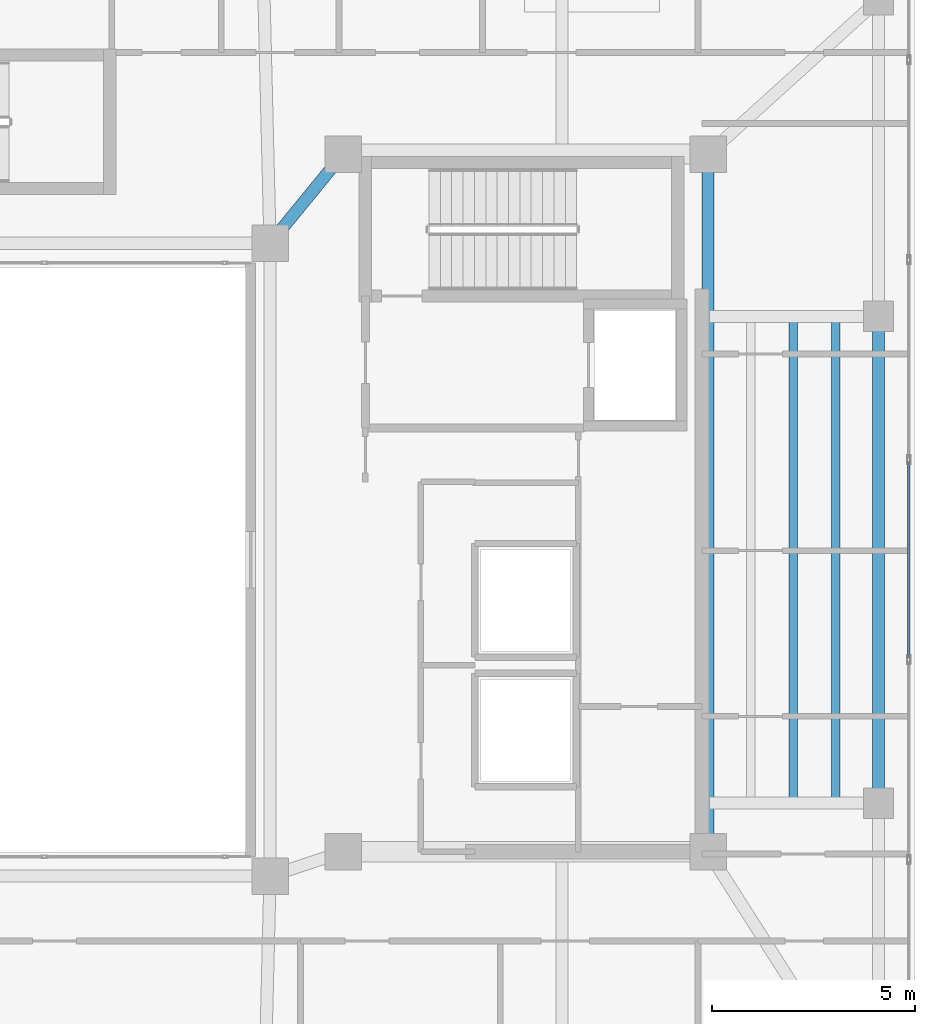
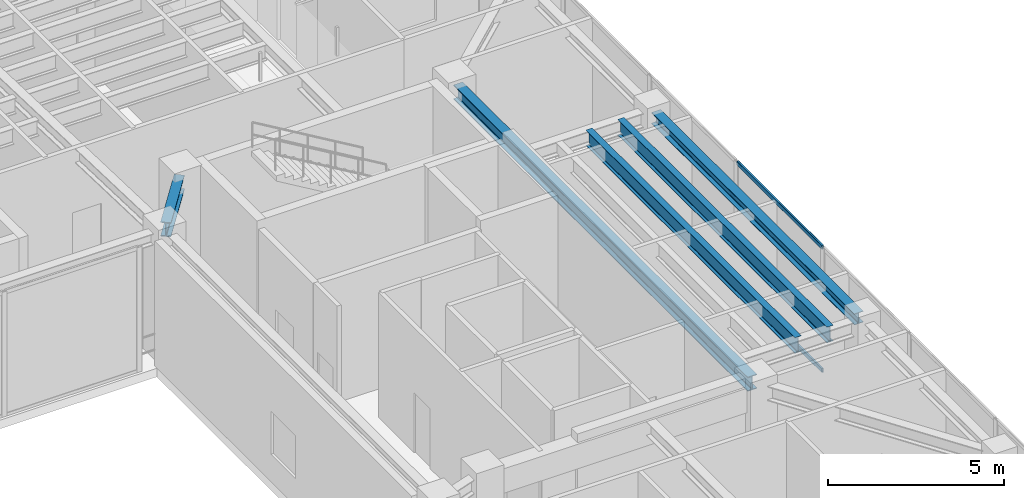
# One storey, part 15 of 34: 5 beams, 2 members, 1 element without a shape of its own.
"""IFC4 building model written with IfcOpenShell, lengths in metres."""

from ifc_helpers import new_model, si_unit, direction, frame, origin, origin_2d, place, context, subcontext, project, spatial, hollow_rectangle, i_section, extrude, material, layer, layer_set, material_profile, profile_set, type_object, element, aggregate, save


model = new_model("IFC4")

# Units and contexts
model_context = context("Model", 3, precision=1e-05, world=origin(), true_north=direction((0.0, 1.0)))
body_context = subcontext(model_context, "Body", "Model", "MODEL_VIEW")
ifc_project = project(units=[si_unit("LENGTHUNIT", "METRE"), si_unit("AREAUNIT", "SQUARE_METRE"), si_unit("VOLUMEUNIT", "CUBIC_METRE"), si_unit("PLANEANGLEUNIT", "RADIAN"), si_unit("MASSUNIT", "GRAM", prefix="KILO")], contexts=[model_context])

# Site, building, storey
site_placement = place(None, origin())
site = spatial("IfcSite", under=ifc_project, at=site_placement, CompositionType="ELEMENT")
building_placement = place(site_placement, origin())
building = spatial("IfcBuilding", under=site, at=building_placement, Name="Tarnavaz Court Tower", CompositionType="ELEMENT")
storey_placement = place(building_placement, frame((0.0, 0.0, 231.75)))
storey = spatial("IfcBuildingStorey", under=building, at=storey_placement, Name="L63", CompositionType="ELEMENT", Elevation=231.75)

# Beams
ifc_material_1 = material(Name="Steel S355", Category="steel")
ifc_material_profile_1 = material_profile(ifc_material_1, i_section(OverallWidth=0.300048828125, OverallDepth=0.5, WebThickness=0.014404296875, FlangeThickness=0.028076171875, FilletRadius=0.027099609375, at=origin_2d()), Name="HEB 500")
ifc_profile_set_1 = profile_set([ifc_material_profile_1], Name="Steel S355")
beam_type_1 = type_object("IfcBeamType", Name="BM-G-HEB500", PredefinedType="USERDEFINED", material=ifc_profile_set_1)
beam_1_placement = place(storey_placement, frame((9.460693359375, 9.82958984375, 4.10009765625), z_axis=(-0.633282058357, -0.773921077735, 0.0), x_axis=(0.773921077735, -0.633282058357, 0.0)))
element("IfcBeam", 1, at=beam_1_placement, inside=storey, type_object=beam_type_1, Name="L63 Beam IN-CE-NI-IW-NE", ObjectType="GIRDER", PredefinedType="USERDEFINED", context=body_context, shape_type="SweptSolid", body=[
    extrude(i_section(OverallWidth=0.300048828125, OverallDepth=0.5, WebThickness=0.014404296875, FlangeThickness=0.028076171875, FilletRadius=0.027099609375, at=origin_2d()), origin(), (0.0, 0.0, 1.0), 2.402587890625),
])
beam_2_placement = place(storey_placement, frame((18.60009765625, -6.97998046875, 4.10009765625), z_axis=(0.0, 1.0, 0.0), x_axis=(-1.0, 0.0, 0.0)))
element("IfcBeam", 2, at=beam_2_placement, inside=storey, type_object=beam_type_1, Name="L63 Beam IN-CE-SO-CE-NO", ObjectType="GIRDER", PredefinedType="USERDEFINED", context=body_context, shape_type="SweptSolid", body=[
    extrude(i_section(OverallWidth=0.300048828125, OverallDepth=0.5, WebThickness=0.014404296875, FlangeThickness=0.028076171875, FilletRadius=0.027099609375, at=origin_2d()), origin(), (0.0, 0.0, 1.0), 16.760009765625),
])
ifc_material_profile_2 = material_profile(ifc_material_1, i_section(OverallWidth=0.2099609375, OverallDepth=0.550048828125, WebThickness=0.010986328125, FlangeThickness=0.01708984375, FilletRadius=0.02392578125, at=origin_2d()), Name="IPE 550")
ifc_profile_set_2 = profile_set([ifc_material_profile_2], Name="Steel S355")
beam_type_2 = type_object("IfcBeamType", Name="BM-J-IPE550", PredefinedType="JOIST", material=ifc_profile_set_2)
for number, where, z_axis, x_axis, name in (
    (3, (20.699951171875, -5.9599609375, 4.074951171875), (0.0, 1.0, 0.0), (-1.0, 0.0, 0.0), "L63 Beam JE2"),
    (4, (21.75, -5.9599609375, 4.074951171875), (0.0, 1.0, 0.0), (-1.0, 0.0, 0.0), "L63 Beam JE3"),
):
    element("IfcBeam", number, at=place(storey_placement, frame(where, z_axis=z_axis, x_axis=x_axis)), inside=storey, type_object=beam_type_2, Name=name, PredefinedType="JOIST", context=body_context, shape_type="SweptSolid", body=[
        extrude(i_section(OverallWidth=0.2099609375, OverallDepth=0.550048828125, WebThickness=0.010986328125, FlangeThickness=0.01708984375, FilletRadius=0.02392578125, at=origin_2d()), origin(), (0.0, 0.0, 1.0), 11.919921875),
    ])
ifc_material_profile_3 = material_profile(ifc_material_1, i_section(OverallWidth=0.300048828125, OverallDepth=0.389892578125, WebThickness=0.010986328125, FlangeThickness=0.01904296875, FilletRadius=0.027099609375, at=origin_2d()), Name="HEA 400")
ifc_profile_set_3 = profile_set([ifc_material_profile_3], Name="Steel S355")
beam_type_3 = type_object("IfcBeamType", Name="BM-SP-HEA400", PredefinedType="BEAM", material=ifc_profile_set_3)
beam_3_placement = place(storey_placement, frame((22.800048828125, -5.780029296875, 4.155029296875), z_axis=(0.0, 1.0, 0.0), x_axis=(-1.0, 0.0, 0.0)))
element("IfcBeam", 5, at=beam_3_placement, inside=storey, type_object=beam_type_3, Name="L63 Beam PR-PE-2-PE-3", PredefinedType="BEAM", context=body_context, shape_type="SweptSolid", body=[
    extrude(i_section(OverallWidth=0.300048828125, OverallDepth=0.389892578125, WebThickness=0.010986328125, FlangeThickness=0.01904296875, FilletRadius=0.027099609375, at=origin_2d()), origin(), (0.0, 0.0, 1.0), 11.56005859375),
])

# Curtain wall, members
ifc_material_2 = material(Name="Anodised Aluminium 6063-T6 and Solar Low-E Glazing", Category="aluminium")
ifc_layer = layer(ifc_material_2, 0.199951171875)
ifc_layer_set = layer_set([ifc_layer], Name="Anodised Aluminium 6063-T6 and Solar Low-E Glazing")
curtain_wall_type = type_object("IfcCurtainWallType", Name="CW-SYS-05", PredefinedType="NOTDEFINED", material=ifc_layer_set)
curtain_wall_placement = place(storey_placement, origin())
curtain_wall = element("IfcCurtainWall", 6, at=curtain_wall_placement, inside=storey, type_object=curtain_wall_type, Name="L63 Sky-Portal Curtain Wall 12", PredefinedType="NOTDEFINED")
ifc_material_3 = material(Name="Anodised Aluminium 6063-T6", Category="aluminium")
ifc_material_profile_4 = material_profile(ifc_material_3, hollow_rectangle(XDim=0.06494140625, YDim=0.139892578125, WallThickness=0.00390625, InnerFilletRadius=0.00390625, OuterFilletRadius=0.008056640625, at=origin_2d()), Name="ALU RHS 140X65X4")
ifc_profile_set_4 = profile_set([ifc_material_profile_4], Name="Anodised Aluminium 6063-T6")
member_type = type_object("IfcMemberType", Name="CW-TRN-140", PredefinedType="USERDEFINED", material=ifc_profile_set_4)
member_1_placement = place(storey_placement, frame((23.550048828125, 2.421875, 0.032470703125), z_axis=(0.0, -1.0, 0.0), x_axis=(1.0, 0.0, 0.0)))
member_1 = element("IfcMember", 7, at=member_1_placement, type_object=member_type, Name="CW transom 4.1", ObjectType="TRANSOM", PredefinedType="USERDEFINED", context=body_context, shape_type="SweptSolid", body=[
    extrude(hollow_rectangle(XDim=0.06494140625, YDim=0.139892578125, WallThickness=0.00390625, InnerFilletRadius=0.00390625, OuterFilletRadius=0.008056640625, at=origin_2d()), origin(), (0.0, 0.0, 1.0), 4.84375),
])
member_2_placement = place(storey_placement, frame((23.550048828125, 2.421875, 4.3173828125), z_axis=(0.0, -1.0, 0.0), x_axis=(1.0, 0.0, 0.0)))
member_2 = element("IfcMember", 8, at=member_2_placement, type_object=member_type, Name="CW transom 4.2", ObjectType="TRANSOM", PredefinedType="USERDEFINED", context=body_context, shape_type="SweptSolid", body=[
    extrude(hollow_rectangle(XDim=0.06494140625, YDim=0.139892578125, WallThickness=0.00390625, InnerFilletRadius=0.00390625, OuterFilletRadius=0.008056640625, at=origin_2d()), origin(), (0.0, 0.0, 1.0), 4.84375),
])
aggregate(curtain_wall, [member_1, member_2])

save(model, "model.ifc")
